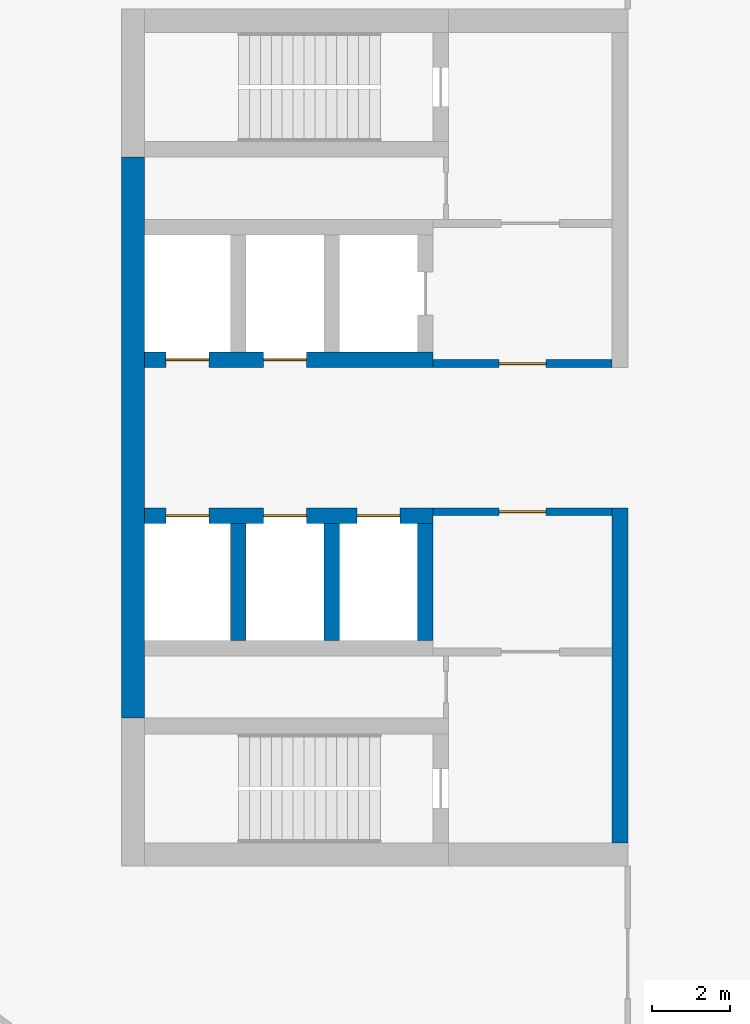
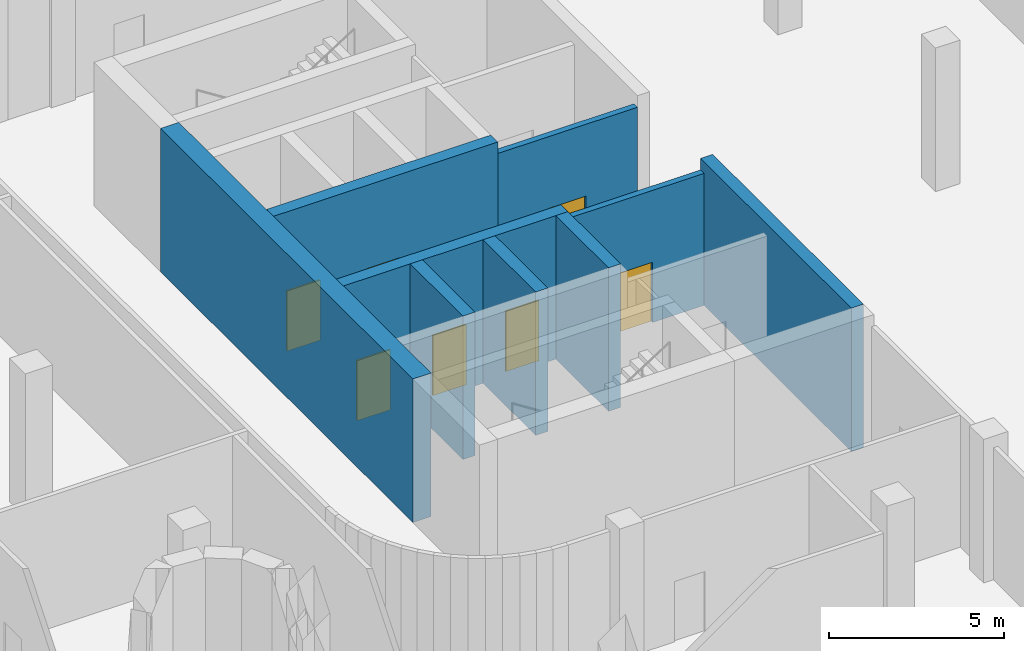
# One storey, part 11 of 20: 9 walls, 7 doors, 7 openings.
"""IFC4 building model written with IfcOpenShell, lengths in metres."""

from ifc_helpers import new_model, si_unit, direction, frame, frame_2d, origin, place, context, subcontext, project, spatial, rectangle, extrude, material, layer, layer_set, type_object, element, fill, save


model = new_model("IFC4")

# Units and contexts
model_context = context("Model", 3, precision=1e-05, world=origin(), true_north=direction((0.0, 1.0)))
body_context = subcontext(model_context, "Body", "Model", "MODEL_VIEW")
ifc_project = project(units=[si_unit("LENGTHUNIT", "METRE"), si_unit("AREAUNIT", "SQUARE_METRE"), si_unit("VOLUMEUNIT", "CUBIC_METRE"), si_unit("PLANEANGLEUNIT", "RADIAN"), si_unit("MASSUNIT", "GRAM", prefix="KILO")], contexts=[model_context])

# Site, building, storey
site_placement = place(None, origin())
site = spatial("IfcSite", under=ifc_project, at=site_placement, CompositionType="ELEMENT")
building_placement = place(site_placement, origin())
building = spatial("IfcBuilding", under=site, at=building_placement, Name="Skarvind Civic Tower", CompositionType="ELEMENT")
storey_placement = place(building_placement, frame((0.0, 0.0, 17.5)))
storey = spatial("IfcBuildingStorey", under=building, at=storey_placement, Name="L03", CompositionType="ELEMENT", Elevation=17.5)

# Wall, opening, door
ifc_material_1 = material(Name="Fire-rated masonry partition", Category="masonry")
ifc_layer_1 = layer(ifc_material_1, 0.199951171875)
ifc_layer_set_1 = layer_set([ifc_layer_1], Name="Core enclosure wall 200")
wall_type_1 = type_object("IfcWallType", Name="Core enclosure wall 200", PredefinedType="PARTITIONING", material=ifc_layer_set_1)
wall_1_placement = place(storey_placement, frame((135.0, 129.89990234375, 0.0), z_axis=(0.0, 0.0, 1.0), x_axis=(1.0, 0.0, 0.0)))
wall_1 = element("IfcWall", 1, at=wall_1_placement, inside=storey, type_object=wall_type_1, Name="Core wall CA", PredefinedType="PARTITIONING", context=body_context, shape_type="SweptSolid", body=[
    extrude(rectangle(XDim=4.60009765625, YDim=0.199951171875, at=frame_2d((2.300048828125, 0.0))), origin(), (0.0, 0.0, 1.0), 4.60009765625),
])
opening_1_placement = place(wall_1_placement, frame((1.699951171875, 0.0, 0.0)))
opening_1 = element("IfcOpeningElement", 2, at=opening_1_placement, cuts=wall_1, Name="Opening D-L03-CA-06", PredefinedType="OPENING", context=body_context, shape_type="SweptSolid", body=[
    extrude(rectangle(XDim=1.199951171875, YDim=2.10009765625, at=frame_2d((0.60009765625, 1.050048828125))), frame((0.0, 0.10986328125, 0.0), z_axis=(0.0, -1.0, 0.0), x_axis=(1.0, 0.0, 0.0)), (0.0, 0.0, 1.0), 0.219970703125),
])
ifc_material_2 = material(Name="Fire-rated steel door", Category="steel")
door_type_1 = type_object("IfcDoorType", Name="Core lobby door 1200", OperationType="NOTDEFINED", PredefinedType="DOOR", material=ifc_material_2)
door_1_placement = place(opening_1_placement, origin())
door_1 = element("IfcDoor", 3, at=door_1_placement, inside=storey, type_object=door_type_1, Name="Fire door", OperationType="DOUBLE_DOOR_SINGLE_SWING", OverallHeight=2.10009765625, OverallWidth=1.199951171875, PredefinedType="DOOR", context=body_context, shape_type="SweptSolid", body=[
    extrude(rectangle(XDim=1.199951171875, YDim=2.10009765625, at=frame_2d((0.60009765625, 1.050048828125))), frame((0.0, 0.02490234375, 0.0), z_axis=(0.0, -1.0, 0.0), x_axis=(1.0, 0.0, 0.0)), (0.0, 0.0, 1.0), 0.050048828125),
])
fill(opening_1, door_1)

wall_2_placement = place(storey_placement, frame((139.60009765625, 126.10009765625, 0.0), z_axis=(0.0, 0.0, 1.0), x_axis=(-1.0, 0.0, 0.0)))
wall_2 = element("IfcWall", 4, at=wall_2_placement, inside=storey, type_object=wall_type_1, Name="Core wall CA", PredefinedType="PARTITIONING", context=body_context, shape_type="SweptSolid", body=[
    extrude(rectangle(XDim=4.60009765625, YDim=0.199951171875, at=frame_2d((2.300048828125, 0.0))), origin(), (0.0, 0.0, 1.0), 4.60009765625),
])
opening_2_placement = place(wall_2_placement, frame((1.699951171875, 0.0, 0.0)))
opening_2 = element("IfcOpeningElement", 5, at=opening_2_placement, cuts=wall_2, Name="Opening D-L03-CA-10", PredefinedType="OPENING", context=body_context, shape_type="SweptSolid", body=[
    extrude(rectangle(XDim=1.199951171875, YDim=2.10009765625, at=frame_2d((0.60009765625, 1.050048828125))), frame((0.0, 0.10986328125, 0.0), z_axis=(0.0, -1.0, 0.0), x_axis=(1.0, 0.0, 0.0)), (0.0, 0.0, 1.0), 0.219970703125),
])
door_2_placement = place(opening_2_placement, origin())
door_2 = element("IfcDoor", 6, at=door_2_placement, inside=storey, type_object=door_type_1, Name="Fire door", OperationType="DOUBLE_DOOR_SINGLE_SWING", OverallHeight=2.10009765625, OverallWidth=1.199951171875, PredefinedType="DOOR", context=body_context, shape_type="SweptSolid", body=[
    extrude(rectangle(XDim=1.199951171875, YDim=2.10009765625, at=frame_2d((0.60009765625, 1.050048828125))), frame((0.0, 0.02490234375, 0.0), z_axis=(0.0, -1.0, 0.0), x_axis=(1.0, 0.0, 0.0)), (0.0, 0.0, 1.0), 0.050048828125),
])
fill(opening_2, door_2)

# Wall, openings, doors
ifc_material_3 = material(Name="Concrete C80", Category="concrete")
ifc_layer_2 = layer(ifc_material_3, 0.39990234375)
ifc_layer_set_2 = layer_set([ifc_layer_2], Name="Core wall 400 C80")
wall_type_2 = type_object("IfcWallType", Name="Core wall 400 C80", PredefinedType="SHEAR", material=ifc_layer_set_2)
wall_3_placement = place(storey_placement, frame((127.60009765625, 126.0, 0.0), z_axis=(0.0, 0.0, 1.0), x_axis=(1.0, 0.0, 0.0)))
wall_3 = element("IfcWall", 7, at=wall_3_placement, inside=storey, type_object=wall_type_2, Name="Core wall CA south lift row front L03", PredefinedType="SHEAR", context=body_context, shape_type="SweptSolid", body=[
    extrude(rectangle(XDim=7.39990234375, YDim=0.39990234375, at=frame_2d((3.699951171875, 0.0))), origin(), (0.0, 0.0, 1.0), 5.0),
])
opening_3_placement = place(wall_3_placement, frame((0.550048828125, 0.0, 0.0)))
opening_3 = element("IfcOpeningElement", 8, at=opening_3_placement, cuts=wall_3, Name="Opening LD05304", PredefinedType="OPENING", context=body_context, shape_type="SweptSolid", body=[
    extrude(rectangle(XDim=1.10009765625, YDim=2.10009765625, at=frame_2d((0.550048828125, 1.050048828125))), frame((0.0, 0.2099609375, 0.0), z_axis=(0.0, -1.0, 0.0), x_axis=(1.0, 0.0, 0.0)), (0.0, 0.0, 1.0), 0.419921875),
])
opening_4_placement = place(wall_3_placement, frame((3.050048828125, 0.0, 0.0)))
opening_4 = element("IfcOpeningElement", 9, at=opening_4_placement, cuts=wall_3, Name="Opening LD05305", PredefinedType="OPENING", context=body_context, shape_type="SweptSolid", body=[
    extrude(rectangle(XDim=1.10009765625, YDim=2.10009765625, at=frame_2d((0.550048828125, 1.050048828125))), frame((0.0, 0.2099609375, 0.0), z_axis=(0.0, -1.0, 0.0), x_axis=(1.0, 0.0, 0.0)), (0.0, 0.0, 1.0), 0.419921875),
])
opening_5_placement = place(wall_3_placement, frame((5.449951171875, 0.0, 0.0)))
opening_5 = element("IfcOpeningElement", 10, at=opening_5_placement, cuts=wall_3, Name="Opening LD05306", PredefinedType="OPENING", context=body_context, shape_type="SweptSolid", body=[
    extrude(rectangle(XDim=1.10009765625, YDim=2.10009765625, at=frame_2d((0.550048828125, 1.050048828125))), frame((0.0, 0.2099609375, 0.0), z_axis=(0.0, -1.0, 0.0), x_axis=(1.0, 0.0, 0.0)), (0.0, 0.0, 1.0), 0.419921875),
])
ifc_material_4 = material(Name="Stainless steel landing door", Category="steel")
door_type_2 = type_object("IfcDoorType", Name="Lift landing door 1100", OperationType="DOUBLE_DOOR_SLIDING", PredefinedType="DOOR", material=ifc_material_4)
door_3_placement = place(opening_3_placement, origin())
door_3 = element("IfcDoor", 11, at=door_3_placement, inside=storey, type_object=door_type_2, Name="Lift landing door", OperationType="DOUBLE_DOOR_SLIDING", OverallHeight=2.10009765625, OverallWidth=1.10009765625, PredefinedType="DOOR", context=body_context, shape_type="SweptSolid", body=[
    extrude(rectangle(XDim=1.10009765625, YDim=2.10009765625, at=frame_2d((0.550048828125, 1.050048828125))), frame((0.0, 0.02490234375, 0.0), z_axis=(0.0, -1.0, 0.0), x_axis=(1.0, 0.0, 0.0)), (0.0, 0.0, 1.0), 0.050048828125),
])
fill(opening_3, door_3)
door_4_placement = place(opening_4_placement, origin())
door_4 = element("IfcDoor", 12, at=door_4_placement, inside=storey, type_object=door_type_2, Name="Lift landing door", OperationType="DOUBLE_DOOR_SLIDING", OverallHeight=2.10009765625, OverallWidth=1.10009765625, PredefinedType="DOOR", context=body_context, shape_type="SweptSolid", body=[
    extrude(rectangle(XDim=1.10009765625, YDim=2.10009765625, at=frame_2d((0.550048828125, 1.050048828125))), frame((0.0, 0.02490234375, 0.0), z_axis=(0.0, -1.0, 0.0), x_axis=(1.0, 0.0, 0.0)), (0.0, 0.0, 1.0), 0.050048828125),
])
fill(opening_4, door_4)
door_5_placement = place(opening_5_placement, origin())
door_5 = element("IfcDoor", 13, at=door_5_placement, inside=storey, type_object=door_type_2, Name="Lift landing door", OperationType="DOUBLE_DOOR_SLIDING", OverallHeight=2.10009765625, OverallWidth=1.10009765625, PredefinedType="DOOR", context=body_context, shape_type="SweptSolid", body=[
    extrude(rectangle(XDim=1.10009765625, YDim=2.10009765625, at=frame_2d((0.550048828125, 1.050048828125))), frame((0.0, 0.02490234375, 0.0), z_axis=(0.0, -1.0, 0.0), x_axis=(1.0, 0.0, 0.0)), (0.0, 0.0, 1.0), 0.050048828125),
])
fill(opening_5, door_5)

# Walls
for number, where, z_axis, x_axis, name in (
    (14, (130.0, 122.800048828125, 0.0), (0.0, 0.0, 1.0), (0.0, 1.0, 0.0), "Core wall CA south lift row division 1 L03"),
    (15, (132.39990234375, 122.800048828125, 0.0), (0.0, 0.0, 1.0), (0.0, 1.0, 0.0), "Core wall CA south lift row division 2 L03"),
    (16, (134.800048828125, 122.800048828125, 0.0), (0.0, 0.0, 1.0), (0.0, 1.0, 0.0), "Core wall CA south lift row division 3 L03"),
):
    element("IfcWall", number, at=place(storey_placement, frame(where, z_axis=z_axis, x_axis=x_axis)), inside=storey, type_object=wall_type_2, Name=name, PredefinedType="SHEAR", context=body_context, shape_type="SweptSolid", body=[
        extrude(rectangle(XDim=3.0, YDim=0.39990234375, at=frame_2d((1.5, 0.0))), origin(), (0.0, 0.0, 1.0), 5.0),
    ])

# Wall, openings, doors
wall_4_placement = place(storey_placement, frame((127.60009765625, 130.0, 0.0), z_axis=(0.0, 0.0, 1.0), x_axis=(1.0, 0.0, 0.0)))
wall_4 = element("IfcWall", 17, at=wall_4_placement, inside=storey, type_object=wall_type_2, Name="Core wall CA north lift row front L03", PredefinedType="SHEAR", context=body_context, shape_type="SweptSolid", body=[
    extrude(rectangle(XDim=7.39990234375, YDim=0.39990234375, at=frame_2d((3.699951171875, 0.0))), origin(), (0.0, 0.0, 1.0), 5.0),
])
opening_6_placement = place(wall_4_placement, frame((0.550048828125, 0.0, 0.0)))
opening_6 = element("IfcOpeningElement", 18, at=opening_6_placement, cuts=wall_4, Name="Opening LD05301", PredefinedType="OPENING", context=body_context, shape_type="SweptSolid", body=[
    extrude(rectangle(XDim=1.10009765625, YDim=2.10009765625, at=frame_2d((0.550048828125, 1.050048828125))), frame((0.0, 0.2099609375, 0.0), z_axis=(0.0, -1.0, 0.0), x_axis=(1.0, 0.0, 0.0)), (0.0, 0.0, 1.0), 0.419921875),
])
opening_7_placement = place(wall_4_placement, frame((3.050048828125, 0.0, 0.0)))
opening_7 = element("IfcOpeningElement", 19, at=opening_7_placement, cuts=wall_4, Name="Opening LD05302", PredefinedType="OPENING", context=body_context, shape_type="SweptSolid", body=[
    extrude(rectangle(XDim=1.10009765625, YDim=2.10009765625, at=frame_2d((0.550048828125, 1.050048828125))), frame((0.0, 0.2099609375, 0.0), z_axis=(0.0, -1.0, 0.0), x_axis=(1.0, 0.0, 0.0)), (0.0, 0.0, 1.0), 0.419921875),
])
door_6_placement = place(opening_6_placement, origin())
door_6 = element("IfcDoor", 20, at=door_6_placement, inside=storey, type_object=door_type_2, Name="Lift landing door", OperationType="DOUBLE_DOOR_SLIDING", OverallHeight=2.10009765625, OverallWidth=1.10009765625, PredefinedType="DOOR", context=body_context, shape_type="SweptSolid", body=[
    extrude(rectangle(XDim=1.10009765625, YDim=2.10009765625, at=frame_2d((0.550048828125, 1.050048828125))), frame((0.0, 0.02490234375, 0.0), z_axis=(0.0, -1.0, 0.0), x_axis=(1.0, 0.0, 0.0)), (0.0, 0.0, 1.0), 0.050048828125),
])
fill(opening_6, door_6)
door_7_placement = place(opening_7_placement, origin())
door_7 = element("IfcDoor", 21, at=door_7_placement, inside=storey, type_object=door_type_2, Name="Lift landing door", OperationType="DOUBLE_DOOR_SLIDING", OverallHeight=2.10009765625, OverallWidth=1.10009765625, PredefinedType="DOOR", context=body_context, shape_type="SweptSolid", body=[
    extrude(rectangle(XDim=1.10009765625, YDim=2.10009765625, at=frame_2d((0.550048828125, 1.050048828125))), frame((0.0, 0.02490234375, 0.0), z_axis=(0.0, -1.0, 0.0), x_axis=(1.0, 0.0, 0.0)), (0.0, 0.0, 1.0), 0.050048828125),
])
fill(opening_7, door_7)

# Walls
wall_5_placement = place(storey_placement, frame((139.800048828125, 117.60009765625, 0.0), z_axis=(0.0, 0.0, 1.0), x_axis=(0.0, 1.0, 0.0)))
element("IfcWall", 22, at=wall_5_placement, inside=storey, type_object=wall_type_2, Name="Core wall CA south inner face L03", PredefinedType="SHEAR", context=body_context, shape_type="SweptSolid", body=[
    extrude(rectangle(XDim=8.599853515625, YDim=0.39990234375, at=frame_2d((4.2998046875, 0.0))), origin(), (0.0, 0.0, 1.0), 5.0),
])
ifc_layer_3 = layer(ifc_material_3, 0.60009765625)
ifc_layer_set_3 = layer_set([ifc_layer_3], Name="Core wall 600 C80")
wall_type_3 = type_object("IfcWallType", Name="Core wall 600 C80", PredefinedType="SHEAR", material=ifc_layer_set_3)
wall_6_placement = place(storey_placement, frame((127.300048828125, 120.800048828125, 0.0), z_axis=(0.0, 0.0, 1.0), x_axis=(0.0, 1.0, 0.0)))
element("IfcWall", 23, at=wall_6_placement, inside=storey, type_object=wall_type_3, Name="Core wall CA tip between the stairs L03", PredefinedType="SHEAR", context=body_context, shape_type="SweptSolid", body=[
    extrude(rectangle(XDim=14.39990234375, YDim=0.60009765625, at=frame_2d((7.199951171875, 0.0))), origin(), (0.0, 0.0, 1.0), 5.0),
])

save(model, "model.ifc")
